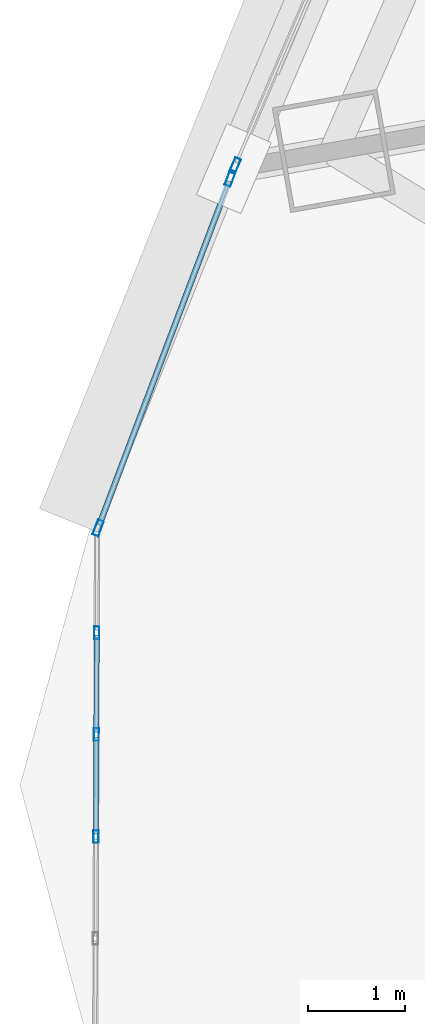
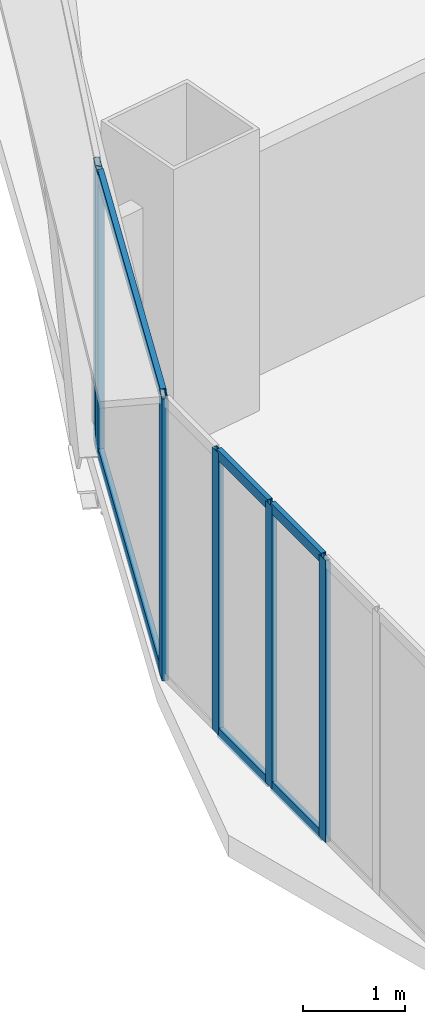
# One storey, part 4 of 41: 12 members, 3 elements without a shape of their own.
"""IFC4 building model written with IfcOpenShell, lengths in metres."""

from ifc_helpers import new_model, si_unit, direction, frame, origin, origin_2d, place, context, subcontext, project, spatial, hollow_rectangle, extrude, source, transform, mapped, material, layer, layer_set, material_profile, profile_set, type_object, element, aggregate, save


model = new_model("IFC4")

# Units and contexts
model_context = context("Model", 3, precision=1e-05, world=origin(), true_north=direction((0.0, 1.0)))
body_context = subcontext(model_context, "Body", "Model", "MODEL_VIEW")
ifc_project = project(units=[si_unit("LENGTHUNIT", "METRE"), si_unit("AREAUNIT", "SQUARE_METRE"), si_unit("VOLUMEUNIT", "CUBIC_METRE"), si_unit("PLANEANGLEUNIT", "RADIAN"), si_unit("MASSUNIT", "GRAM", prefix="KILO"), si_unit("THERMODYNAMICTEMPERATUREUNIT", "KELVIN"), si_unit("POWERUNIT", "WATT")], contexts=[model_context])

# Site, building, storey
site_placement = place(None, origin())
site = spatial("IfcSite", under=ifc_project, at=site_placement, CompositionType="ELEMENT")
building_placement = place(site_placement, origin())
building = spatial("IfcBuilding", under=site, at=building_placement, Name="Yunzhuo Pagoda Commons", CompositionType="ELEMENT")
storey_placement = place(building_placement, frame((0.0, 0.0, 63.070068359375)))
storey = spatial("IfcBuildingStorey", under=building, at=storey_placement, Name="L16", CompositionType="ELEMENT", Elevation=63.070068359375)

# Curtain wall, member
ifc_material = material(Name="Anodized aluminium 6063-T6", Category="aluminium")
ifc_layer_1 = layer(ifc_material, 0.1650390625)
ifc_layer_set_1 = layer_set([ifc_layer_1], Name="Anodized aluminium 6063-T6")
curtain_wall_type_1 = type_object("IfcCurtainWallType", Name="CW-LOW Low-Zone Ribbon Curtain Wall", PredefinedType="NOTDEFINED", material=ifc_layer_set_1)
curtain_wall_1_placement = place(storey_placement, origin())
curtain_wall_1 = element("IfcCurtainWall", 1, at=curtain_wall_1_placement, inside=storey, type_object=curtain_wall_type_1, Name="L16 curtain wall CW-L16-F3B4", PredefinedType="NOTDEFINED")
ifc_material_profile_1 = material_profile(ifc_material, hollow_rectangle(XDim=0.06494140625, YDim=0.1650390625, WallThickness=0.00390625, at=origin_2d()), Name="Anodized aluminium 6063-T6")
ifc_profile_set_1 = profile_set([ifc_material_profile_1], Name="Anodized aluminium 6063-T6")
member_type_1 = type_object("IfcMemberType", Name="CW-LOW-M Mullion RHS 165x65x4", PredefinedType="MULLION", material=ifc_profile_set_1)
shared_shape_1 = source(origin(), body_context, "Body", "SweptSolid", [
    extrude(hollow_rectangle(XDim=0.06494140625, YDim=0.1650390625, WallThickness=0.00390625, at=origin_2d()), origin(), (0.0, 0.0, 1.0), 3.369873046875),
])
member_1_placement = place(storey_placement, frame((6.93115234375, 26.486083984375, 0.0), z_axis=(0.0, 0.0, 1.0), x_axis=(0.919121093161, -0.39397514656, 0.0)))
member_1 = element("IfcMember", 2, at=member_1_placement, type_object=member_type_1, Name="CW mullion 2", PredefinedType="MULLION", context=body_context, shape_type="MappedRepresentation", body=[
    mapped(shared_shape_1, transform((0.0, 0.0, 0.0), scale=1.0)),
])
aggregate(curtain_wall_1, [member_1])

# Curtain wall, members
curtain_wall_2_placement = place(storey_placement, origin())
curtain_wall_2 = element("IfcCurtainWall", 3, at=curtain_wall_2_placement, inside=storey, type_object=curtain_wall_type_1, Name="L16 curtain wall CW-L16-F3B5", PredefinedType="NOTDEFINED")
member_2_placement = place(storey_placement, frame((6.88037109375, 26.355712890625, 0.0), z_axis=(0.0, 0.0, 1.0), x_axis=(0.9355133863, -0.353291245367, 0.0)))
member_2 = element("IfcMember", 4, at=member_2_placement, type_object=member_type_1, Name="CW mullion 1", PredefinedType="MULLION", context=body_context, shape_type="MappedRepresentation", body=[
    mapped(shared_shape_1, transform((0.0, 0.0, 0.0), scale=1.0)),
])
member_3_placement = place(storey_placement, frame((5.514404296875, 22.738525390625, 0.0), z_axis=(0.0, 0.0, 1.0), x_axis=(0.9355133863, -0.353291245367, 0.0)))
member_3 = element("IfcMember", 5, at=member_3_placement, type_object=member_type_1, Name="CW mullion 2", PredefinedType="MULLION", context=body_context, shape_type="MappedRepresentation", body=[
    mapped(shared_shape_1, transform((0.0, 0.0, 0.0), scale=1.0)),
])

ifc_layer_2 = layer(ifc_material, 0.1298828125)
ifc_layer_set_2 = layer_set([ifc_layer_2], Name="Anodized aluminium 6063-T6")
curtain_wall_type_2 = type_object("IfcCurtainWallType", Name="CW-VTX Rounded Corner Curtain Wall", PredefinedType="NOTDEFINED", material=ifc_layer_set_2)
curtain_wall_3_placement = place(storey_placement, origin())
curtain_wall_3 = element("IfcCurtainWall", 6, at=curtain_wall_3_placement, inside=storey, type_object=curtain_wall_type_2, Name="L16 curtain wall CW-L16-VTX1S1", PredefinedType="NOTDEFINED")
ifc_material_profile_2 = material_profile(ifc_material, hollow_rectangle(XDim=0.054931640625, YDim=0.1298828125, WallThickness=0.00341796875, at=origin_2d()), Name="Anodized aluminium 6063-T6")
ifc_profile_set_2 = profile_set([ifc_material_profile_2], Name="Anodized aluminium 6063-T6")
member_type_2 = type_object("IfcMemberType", Name="CW-VTX-M Mullion RHS 130x55x3.5", PredefinedType="MULLION", material=ifc_profile_set_2)
shared_shape_2 = source(origin(), body_context, "Body", "SweptSolid", [
    extrude(hollow_rectangle(XDim=0.054931640625, YDim=0.1298828125, WallThickness=0.00341796875, at=origin_2d()), origin(), (0.0, 0.0, 1.0), 3.369873046875),
])
member_4_placement = place(storey_placement, frame((5.4990234375, 21.654052734375, 0.0), z_axis=(0.0, 0.0, 1.0), x_axis=(0.999993571837, -0.003585566294, 0.0)))
member_4 = element("IfcMember", 7, at=member_4_placement, type_object=member_type_2, Name="CW mullion 2", PredefinedType="MULLION", context=body_context, shape_type="MappedRepresentation", body=[
    mapped(shared_shape_2, transform((0.0, 0.0, 0.0), scale=1.0)),
])
member_5_placement = place(storey_placement, frame((5.495361328125, 20.60009765625, 0.0), z_axis=(0.0, 0.0, 1.0), x_axis=(0.999993571837, -0.003585566294, 0.0)))
member_5 = element("IfcMember", 8, at=member_5_placement, type_object=member_type_2, Name="CW mullion 3", PredefinedType="MULLION", context=body_context, shape_type="MappedRepresentation", body=[
    mapped(shared_shape_2, transform((0.0, 0.0, 0.0), scale=1.0)),
])
member_6_placement = place(storey_placement, frame((5.491455078125, 19.545654296875, 0.0), z_axis=(0.0, 0.0, 1.0), x_axis=(0.999993571837, -0.003585566294, 0.0)))
member_6 = element("IfcMember", 9, at=member_6_placement, type_object=member_type_2, Name="CW mullion 4", PredefinedType="MULLION", context=body_context, shape_type="MappedRepresentation", body=[
    mapped(shared_shape_2, transform((0.0, 0.0, 0.0), scale=1.0)),
])

# Member
ifc_material_profile_3 = material_profile(ifc_material, hollow_rectangle(XDim=0.06005859375, YDim=0.139892578125, WallThickness=0.00341796875, at=origin_2d()), Name="Anodized aluminium 6063-T6")
ifc_profile_set_3 = profile_set([ifc_material_profile_3], Name="Anodized aluminium 6063-T6")
member_type_3 = type_object("IfcMemberType", Name="CW-LOW-T Transom RHS 140x60x3.5", PredefinedType="USERDEFINED", material=ifc_profile_set_3)
shared_shape_3 = source(origin(), body_context, "Body", "SweptSolid", [
    extrude(hollow_rectangle(XDim=0.06005859375, YDim=0.139892578125, WallThickness=0.00341796875, at=origin_2d()), origin(), (0.0, 0.0, 1.0), 3.80126953125),
])
member_7_placement = place(storey_placement, frame((6.869140625, 26.3251953125, 0.030029296875), z_axis=(-0.353360601845, -0.935487191288, 0.0), x_axis=(0.935487191288, -0.353360601845, 0.0)))
member_7 = element("IfcMember", 10, at=member_7_placement, type_object=member_type_3, Name="CW transom 1.1", ObjectType="TRANSOM", PredefinedType="USERDEFINED", context=body_context, shape_type="MappedRepresentation", body=[
    mapped(shared_shape_3, transform((0.0, 0.0, 0.0), scale=1.0)),
])

member_8_placement = place(storey_placement, frame((6.869140625, 26.3251953125, 3.33984375), z_axis=(-0.353360601845, -0.935487191288, 0.0), x_axis=(0.935487191288, -0.353360601845, 0.0)))
member_8 = element("IfcMember", 11, at=member_8_placement, type_object=member_type_3, Name="CW transom 1.2", ObjectType="TRANSOM", PredefinedType="USERDEFINED", context=body_context, shape_type="MappedRepresentation", body=[
    mapped(shared_shape_3, transform((0.0, 0.0, 0.0), scale=1.0)),
])

aggregate(curtain_wall_2, [member_2, member_3, member_7, member_8])

ifc_material_profile_4 = material_profile(ifc_material, hollow_rectangle(XDim=0.054931640625, YDim=0.1201171875, WallThickness=0.00341796875, at=origin_2d()), Name="Anodized aluminium 6063-T6")
ifc_profile_set_4 = profile_set([ifc_material_profile_4], Name="Anodized aluminium 6063-T6")
member_type_4 = type_object("IfcMemberType", Name="CW-VTX-T Transom RHS 120x55x3.5", PredefinedType="USERDEFINED", material=ifc_profile_set_4)
shared_shape_4 = source(origin(), body_context, "Body", "SweptSolid", [
    extrude(hollow_rectangle(XDim=0.054931640625, YDim=0.1201171875, WallThickness=0.00341796875, at=origin_2d()), origin(), (0.0, 0.0, 1.0), 0.999267578125),
])
member_9_placement = place(storey_placement, frame((5.4990234375, 21.62646484375, 0.02734375), z_axis=(-0.00366476894, -0.999993284712, 0.0), x_axis=(0.999993284712, -0.00366476894, 0.0)))
member_9 = element("IfcMember", 12, at=member_9_placement, type_object=member_type_4, Name="CW transom 2.1", ObjectType="TRANSOM", PredefinedType="USERDEFINED", context=body_context, shape_type="MappedRepresentation", body=[
    mapped(shared_shape_4, transform((0.0, 0.0, 0.0), scale=1.0)),
])

member_10_placement = place(storey_placement, frame((5.4990234375, 21.62646484375, 3.342529296875), z_axis=(-0.00366476894, -0.999993284712, 0.0), x_axis=(0.999993284712, -0.00366476894, 0.0)))
member_10 = element("IfcMember", 13, at=member_10_placement, type_object=member_type_4, Name="CW transom 2.2", ObjectType="TRANSOM", PredefinedType="USERDEFINED", context=body_context, shape_type="MappedRepresentation", body=[
    mapped(shared_shape_4, transform((0.0, 0.0, 0.0), scale=1.0)),
])

member_11_placement = place(storey_placement, frame((5.495361328125, 20.572265625, 0.02734375), z_axis=(-0.00366476894, -0.999993284712, 0.0), x_axis=(0.999993284712, -0.00366476894, 0.0)))
member_11 = element("IfcMember", 14, at=member_11_placement, type_object=member_type_4, Name="CW transom 3.1", ObjectType="TRANSOM", PredefinedType="USERDEFINED", context=body_context, shape_type="MappedRepresentation", body=[
    mapped(shared_shape_4, transform((0.0, 0.0, 0.0), scale=1.0)),
])

member_12_placement = place(storey_placement, frame((5.495361328125, 20.572265625, 3.342529296875), z_axis=(-0.00366476894, -0.999993284712, 0.0), x_axis=(0.999993284712, -0.00366476894, 0.0)))
member_12 = element("IfcMember", 15, at=member_12_placement, type_object=member_type_4, Name="CW transom 3.2", ObjectType="TRANSOM", PredefinedType="USERDEFINED", context=body_context, shape_type="MappedRepresentation", body=[
    mapped(shared_shape_4, transform((0.0, 0.0, 0.0), scale=1.0)),
])

aggregate(curtain_wall_3, [member_4, member_5, member_6, member_9, member_10, member_11, member_12])

save(model, "model.ifc")
